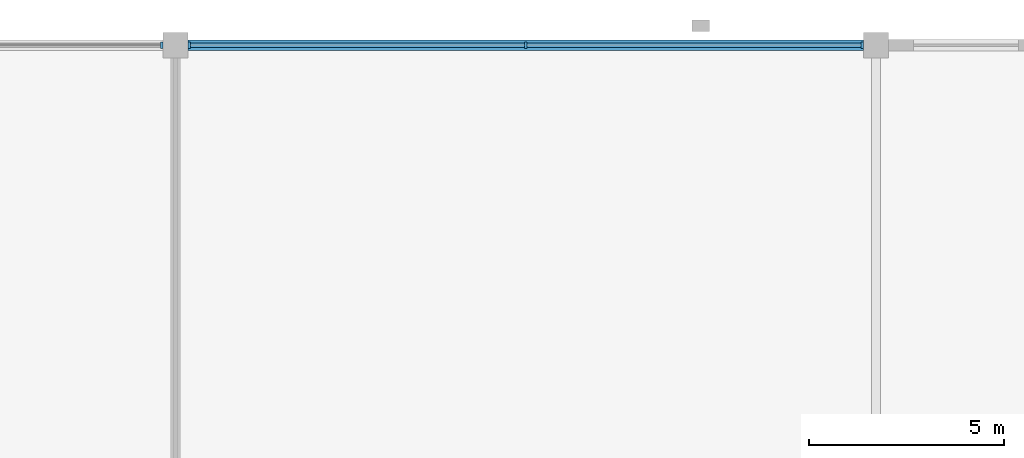
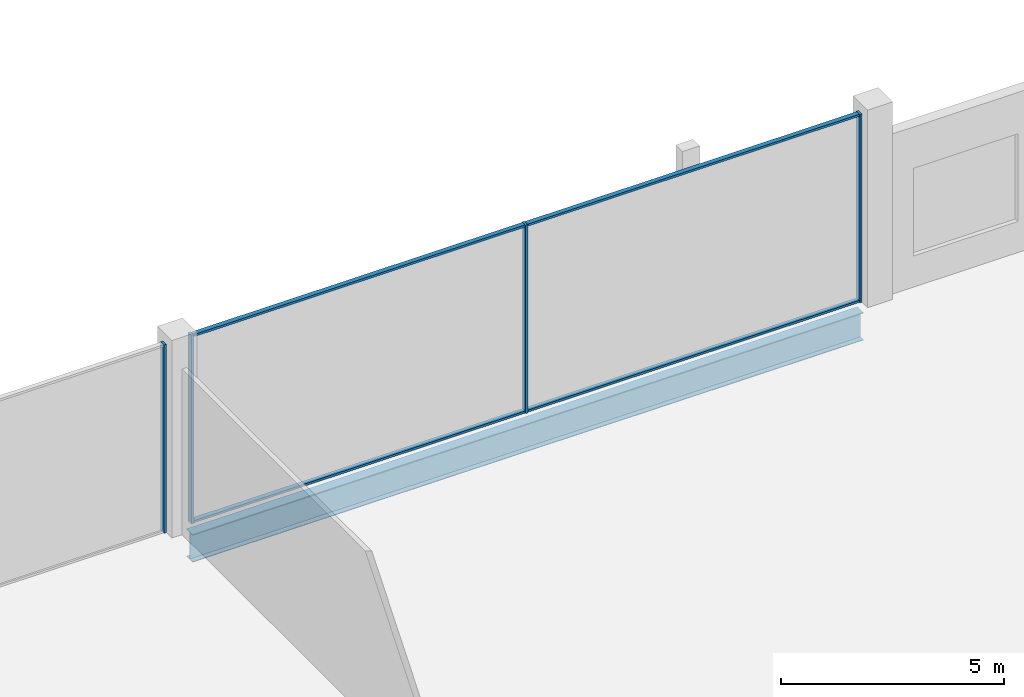
# One storey, part 39 of 111: 8 members, 1 beam, 2 elements without a shape of their own.
"""IFC4 building model written with IfcOpenShell, lengths in metres."""

from ifc_helpers import new_model, si_unit, direction, frame, origin, origin_2d, place, context, subcontext, project, spatial, rectangle, i_section, extrude, material, layer, layer_set, material_profile, profile_set, type_object, element, aggregate, save


model = new_model("IFC4")

# Units and contexts
model_context = context("Model", 3, precision=1e-05, world=origin(), true_north=direction((0.0, 1.0)))
body_context = subcontext(model_context, "Body", "Model", "MODEL_VIEW")
ifc_project = project(units=[si_unit("LENGTHUNIT", "METRE"), si_unit("AREAUNIT", "SQUARE_METRE"), si_unit("VOLUMEUNIT", "CUBIC_METRE"), si_unit("PLANEANGLEUNIT", "RADIAN"), si_unit("MASSUNIT", "GRAM", prefix="KILO")], contexts=[model_context])

# Site, building, storey
site_placement = place(None, origin())
site = spatial("IfcSite", under=ifc_project, at=site_placement, CompositionType="ELEMENT")
building_placement = place(site_placement, origin())
building = spatial("IfcBuilding", under=site, at=building_placement, Name="Kisiwana Market Hall", CompositionType="ELEMENT")
storey_placement = place(building_placement, frame((0.0, 0.0, 11.39990234375)))
storey = spatial("IfcBuildingStorey", under=building, at=storey_placement, Name="L02", CompositionType="ELEMENT", Elevation=11.39990234375)

# Beam
ifc_material_1 = material(Name="Steel S355", Category="steel")
ifc_material_profile_1 = material_profile(ifc_material_1, i_section(OverallWidth=0.2666015625, OverallDepth=0.76220703125, WebThickness=0.014404296875, FlangeThickness=0.021484375, at=origin_2d()), Name="UB 762x267x173")
ifc_profile_set_1 = profile_set([ifc_material_profile_1], Name="Steel S355")
beam_type = type_object("IfcBeamType", Name="BM-GIRD-UB762", PredefinedType="BEAM", material=ifc_profile_set_1)
beam_placement = place(storey_placement, frame((99.321044921875, 120.0, -0.631103515625), z_axis=(1.0, 0.0, 0.0), x_axis=(0.0, 1.0, 0.0)))
element("IfcBeam", 1, at=beam_placement, inside=storey, type_object=beam_type, Name="Floor beam B-0818", PredefinedType="BEAM", context=body_context, shape_type="SweptSolid", body=[
    extrude(i_section(OverallWidth=0.2666015625, OverallDepth=0.76220703125, WebThickness=0.014404296875, FlangeThickness=0.021484375, at=origin_2d()), origin(), (0.0, 0.0, 1.0), 17.35791015625),
])

# Curtain wall, member
ifc_material_2 = material(Name="Double-glazed solar-control low-E IGU", Category="glass")
ifc_layer = layer(ifc_material_2, 0.159912109375)
ifc_layer_set = layer_set([ifc_layer], Name="CW-GLD-E-7200")
curtain_wall_type = type_object("IfcCurtainWallType", Name="CW-GLD-E-7200", PredefinedType="USERDEFINED", material=ifc_layer_set)
curtain_wall_1_placement = place(storey_placement, origin())
curtain_wall_1 = element("IfcCurtainWall", 2, at=curtain_wall_1_placement, inside=storey, type_object=curtain_wall_type, Name="Unitised curtain wall CW-083 (L02)", ObjectType="UNITISED CURTAIN WALL", PredefinedType="USERDEFINED")
ifc_material_3 = material(Name="Aluminium alloy 6063-T6", Category="aluminium")
ifc_material_profile_2 = material_profile(ifc_material_3, rectangle(XDim=0.06005859375, YDim=0.159912109375, at=origin_2d()), Name="ALU MULLION 60x160")
ifc_profile_set_2 = profile_set([ifc_material_profile_2], Name="Aluminium alloy 6063-T6")
member_type_1 = type_object("IfcMemberType", Name="CW-MULL-60x160", PredefinedType="MULLION", material=ifc_profile_set_2)
member_1_placement = place(storey_placement, frame((98.64501953125, 120.0, 0.0), z_axis=(0.0, 0.0, 1.0), x_axis=(1.0, 0.0, 0.0)))
member_1 = element("IfcMember", 3, at=member_1_placement, type_object=member_type_1, Name="CW-083 mullion 3", PredefinedType="MULLION", context=body_context, shape_type="SweptSolid", body=[
    extrude(rectangle(XDim=0.06005859375, YDim=0.159912109375, at=origin_2d()), origin(), (0.0, 0.0, 1.0), 5.150146484375),
])
aggregate(curtain_wall_1, [member_1])

# Curtain wall, members
curtain_wall_2_placement = place(storey_placement, origin())
curtain_wall_2 = element("IfcCurtainWall", 4, at=curtain_wall_2_placement, inside=storey, type_object=curtain_wall_type, Name="Unitised curtain wall CW-084 (L02)", ObjectType="UNITISED CURTAIN WALL", PredefinedType="USERDEFINED")
member_2_placement = place(storey_placement, frame((99.35498046875, 120.0, 0.0), z_axis=(0.0, 0.0, 1.0), x_axis=(1.0, 0.0, 0.0)))
member_2 = element("IfcMember", 5, at=member_2_placement, type_object=member_type_1, Name="CW-084 mullion 1", PredefinedType="MULLION", context=body_context, shape_type="SweptSolid", body=[
    extrude(rectangle(XDim=0.06005859375, YDim=0.159912109375, at=origin_2d()), origin(), (0.0, 0.0, 1.0), 5.150146484375),
])
member_3_placement = place(storey_placement, frame((108.0, 120.0, 0.0), z_axis=(0.0, 0.0, 1.0), x_axis=(1.0, 0.0, 0.0)))
member_3 = element("IfcMember", 6, at=member_3_placement, type_object=member_type_1, Name="CW-084 mullion 2", PredefinedType="MULLION", context=body_context, shape_type="SweptSolid", body=[
    extrude(rectangle(XDim=0.06005859375, YDim=0.159912109375, at=origin_2d()), origin(), (0.0, 0.0, 1.0), 5.150146484375),
])
member_4_placement = place(storey_placement, frame((116.64501953125, 120.0, 0.0), z_axis=(0.0, 0.0, 1.0), x_axis=(1.0, 0.0, 0.0)))
member_4 = element("IfcMember", 7, at=member_4_placement, type_object=member_type_1, Name="CW-084 mullion 3", PredefinedType="MULLION", context=body_context, shape_type="SweptSolid", body=[
    extrude(rectangle(XDim=0.06005859375, YDim=0.159912109375, at=origin_2d()), origin(), (0.0, 0.0, 1.0), 5.150146484375),
])
ifc_material_4 = material(Name="Aluminium alloy 6063-T6", Category="aluminium")
ifc_material_profile_3 = material_profile(ifc_material_4, rectangle(XDim=0.1201171875, YDim=0.06005859375, at=origin_2d()), Name="ALU TRANSOM 60x120")
ifc_profile_set_3 = profile_set([ifc_material_profile_3], Name="Aluminium alloy 6063-T6")
member_type_2 = type_object("IfcMemberType", Name="CW-TRAN-60x120", PredefinedType="USERDEFINED", material=ifc_profile_set_3)
member_5_placement = place(storey_placement, frame((99.385009765625, 120.0, 0.030029296875), z_axis=(1.0, 0.0, 0.0), x_axis=(0.0, 1.0, 0.0)))
member_5 = element("IfcMember", 8, at=member_5_placement, type_object=member_type_2, Name="CW-084 transom 1.1", ObjectType="TRANSOM", PredefinedType="USERDEFINED", context=body_context, shape_type="SweptSolid", body=[
    extrude(rectangle(XDim=0.1201171875, YDim=0.06005859375, at=origin_2d()), origin(), (0.0, 0.0, 1.0), 8.5849609375),
])
member_6_placement = place(storey_placement, frame((99.385009765625, 120.0, 5.1201171875), z_axis=(1.0, 0.0, 0.0), x_axis=(0.0, 1.0, 0.0)))
member_6 = element("IfcMember", 9, at=member_6_placement, type_object=member_type_2, Name="CW-084 transom 1.2", ObjectType="TRANSOM", PredefinedType="USERDEFINED", context=body_context, shape_type="SweptSolid", body=[
    extrude(rectangle(XDim=0.1201171875, YDim=0.06005859375, at=origin_2d()), origin(), (0.0, 0.0, 1.0), 8.5849609375),
])
member_7_placement = place(storey_placement, frame((108.030029296875, 120.0, 0.030029296875), z_axis=(1.0, 0.0, 0.0), x_axis=(0.0, 1.0, 0.0)))
member_7 = element("IfcMember", 10, at=member_7_placement, type_object=member_type_2, Name="CW-084 transom 2.1", ObjectType="TRANSOM", PredefinedType="USERDEFINED", context=body_context, shape_type="SweptSolid", body=[
    extrude(rectangle(XDim=0.1201171875, YDim=0.06005859375, at=origin_2d()), origin(), (0.0, 0.0, 1.0), 8.5849609375),
])
member_8_placement = place(storey_placement, frame((108.030029296875, 120.0, 5.1201171875), z_axis=(1.0, 0.0, 0.0), x_axis=(0.0, 1.0, 0.0)))
member_8 = element("IfcMember", 11, at=member_8_placement, type_object=member_type_2, Name="CW-084 transom 2.2", ObjectType="TRANSOM", PredefinedType="USERDEFINED", context=body_context, shape_type="SweptSolid", body=[
    extrude(rectangle(XDim=0.1201171875, YDim=0.06005859375, at=origin_2d()), origin(), (0.0, 0.0, 1.0), 8.5849609375),
])
aggregate(curtain_wall_2, [member_2, member_3, member_4, member_5, member_6, member_7, member_8])

save(model, "model.ifc")
